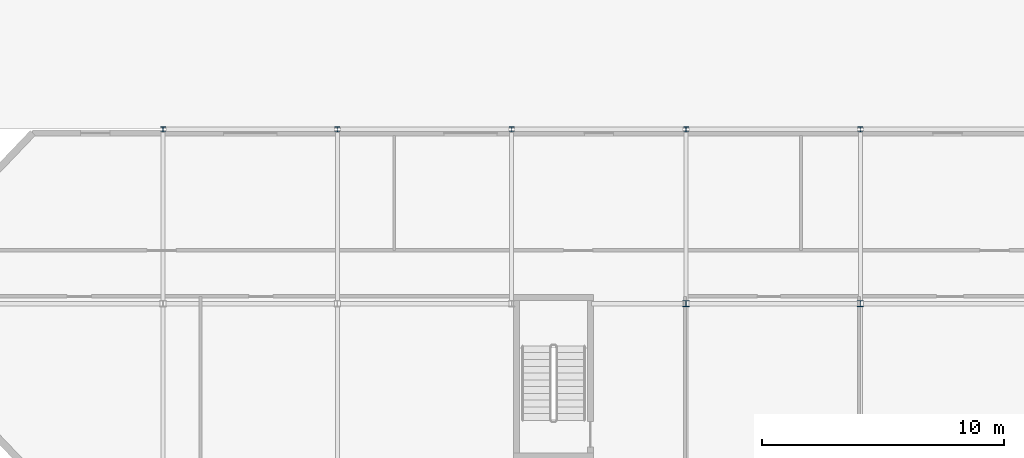
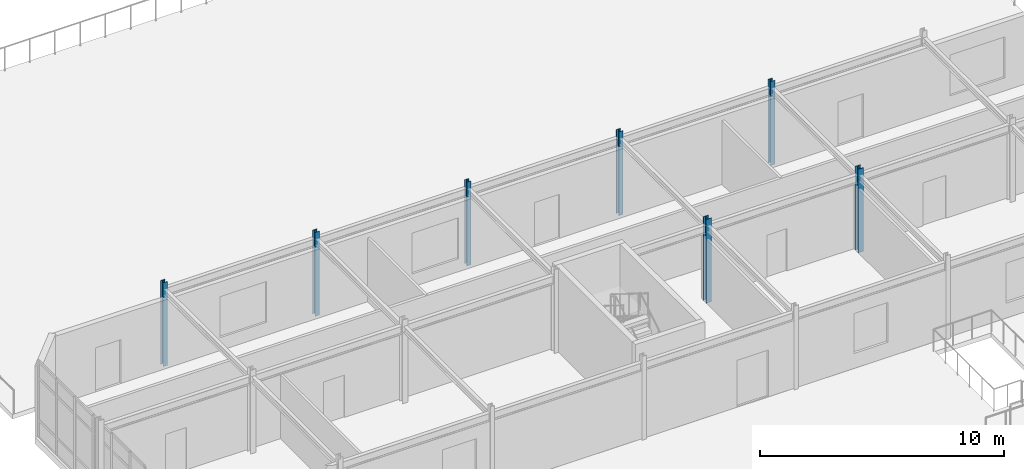
# One storey, part 13 of 85: 7 columns.
"""IFC4 building model written with IfcOpenShell, lengths in metres."""

from ifc_helpers import new_model, si_unit, direction, frame, origin, origin_2d, place, context, subcontext, project, spatial, i_section, extrude, material, material_profile, profile_set, type_object, element, save


model = new_model("IFC4")

# Units and contexts
model_context = context("Model", 3, precision=1e-05, world=origin(), true_north=direction((0.0, 1.0)))
body_context = subcontext(model_context, "Body", "Model", "MODEL_VIEW")
ifc_project = project(units=[si_unit("LENGTHUNIT", "METRE"), si_unit("AREAUNIT", "SQUARE_METRE"), si_unit("VOLUMEUNIT", "CUBIC_METRE"), si_unit("PLANEANGLEUNIT", "RADIAN"), si_unit("MASSUNIT", "GRAM", prefix="KILO")], contexts=[model_context])

# Site, building, storey
site_placement = place(None, origin())
site = spatial("IfcSite", under=ifc_project, at=site_placement, CompositionType="ELEMENT")
building_placement = place(site_placement, origin())
building = spatial("IfcBuilding", under=site, at=building_placement, Name="Ochrevale Crest", CompositionType="ELEMENT")
storey_placement = place(building_placement, frame((0.0, 0.0, 4.5)))
storey = spatial("IfcBuildingStorey", under=building, at=storey_placement, Name="L01", CompositionType="ELEMENT", Elevation=4.5)

# Columns
ifc_material = material(Name="Steel S355", Category="steel")
ifc_material_profile_1 = material_profile(ifc_material, i_section(OverallWidth=0.205078125, OverallDepth=0.209716796875, WebThickness=0.00927734375, FlangeThickness=0.01416015625, FilletRadius=0.01025390625, at=origin_2d()), Name="200UC59.5")
ifc_profile_set_1 = profile_set([ifc_material_profile_1], Name="Steel S355")
column_type_1 = type_object("IfcColumnType", Name="COL-UC200B", PredefinedType="COLUMN", material=ifc_profile_set_1)
for number, where, z_axis, x_axis, name in (
    (1, (64.800048828125, 93.60009765625, 0.0), (0.0, 0.0, 1.0), (1.0, 0.0, 0.0), "Nursery L01 steel column (64.8,93.6)"),
    (2, (72.0, 93.60009765625, 0.0), (0.0, 0.0, 1.0), (1.0, 0.0, 0.0), "Nursery L01 steel column (72.0,93.6)"),
    (3, (79.199951171875, 93.60009765625, 0.0), (0.0, 0.0, 1.0), (1.0, 0.0, 0.0), "Nursery L01 steel column (79.2,93.6)"),
    (4, (86.39990234375, 93.60009765625, 0.0), (0.0, 0.0, 1.0), (1.0, 0.0, 0.0), "Nursery L01 steel column (86.4,93.6)"),
    (5, (93.60009765625, 93.60009765625, 0.0), (0.0, 0.0, 1.0), (1.0, 0.0, 0.0), "Nursery L01 steel column (93.6,93.6)"),
):
    element("IfcColumn", number, at=place(storey_placement, frame(where, z_axis=z_axis, x_axis=x_axis)), inside=storey, type_object=column_type_1, Name=name, PredefinedType="COLUMN", context=body_context, shape_type="SweptSolid", body=[
        extrude(i_section(OverallWidth=0.205078125, OverallDepth=0.209716796875, WebThickness=0.00927734375, FlangeThickness=0.01416015625, FilletRadius=0.01025390625, at=origin_2d()), origin(), (0.0, 0.0, 1.0), 4.199951171875),
    ])
ifc_material_profile_2 = material_profile(ifc_material, i_section(OverallWidth=0.25390625, OverallDepth=0.25390625, WebThickness=0.008544921875, FlangeThickness=0.01416015625, FilletRadius=0.0126953125, at=origin_2d()), Name="250UC72.9")
ifc_profile_set_2 = profile_set([ifc_material_profile_2], Name="Steel S355")
column_type_2 = type_object("IfcColumnType", Name="COL-UC250A", PredefinedType="COLUMN", material=ifc_profile_set_2)
for number, where, z_axis, x_axis, name in (
    (6, (86.39990234375, 86.39990234375, 0.0), (0.0, 0.0, 1.0), (1.0, 0.0, 0.0), "Nursery L01 steel column (86.4,86.4)"),
    (7, (93.60009765625, 86.39990234375, 0.0), (0.0, 0.0, 1.0), (1.0, 0.0, 0.0), "Nursery L01 steel column (93.6,86.4)"),
):
    element("IfcColumn", number, at=place(storey_placement, frame(where, z_axis=z_axis, x_axis=x_axis)), inside=storey, type_object=column_type_2, Name=name, PredefinedType="COLUMN", context=body_context, shape_type="SweptSolid", body=[
        extrude(i_section(OverallWidth=0.25390625, OverallDepth=0.25390625, WebThickness=0.008544921875, FlangeThickness=0.01416015625, FilletRadius=0.0126953125, at=origin_2d()), origin(), (0.0, 0.0, 1.0), 4.199951171875),
    ])

save(model, "model.ifc")
